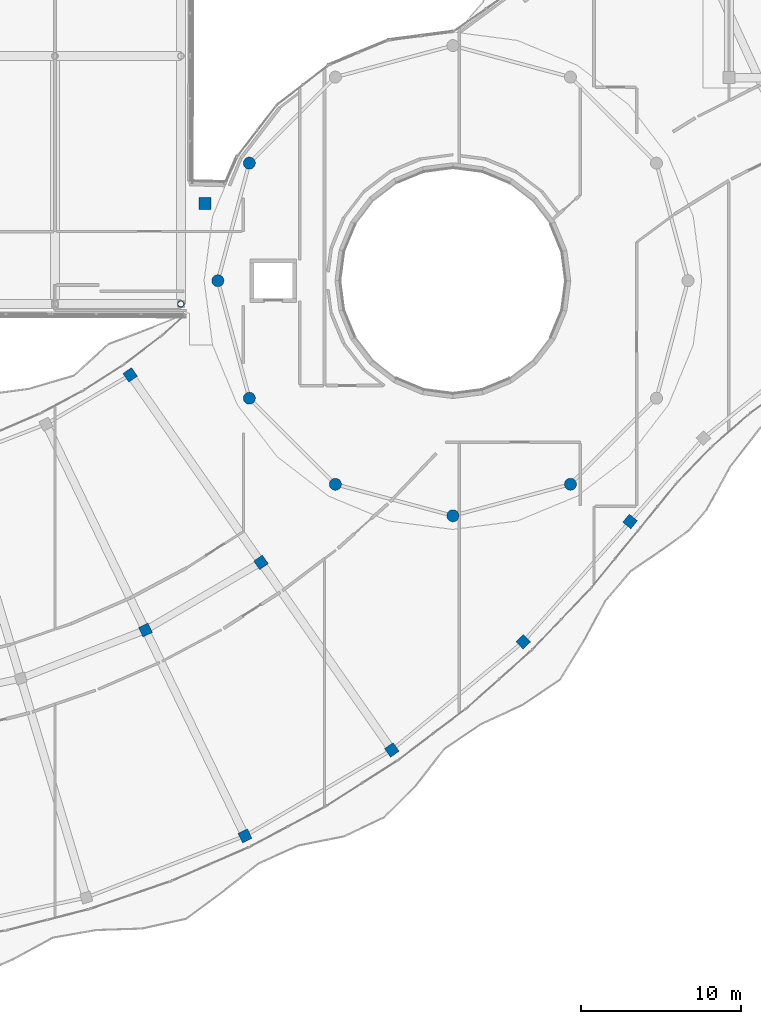
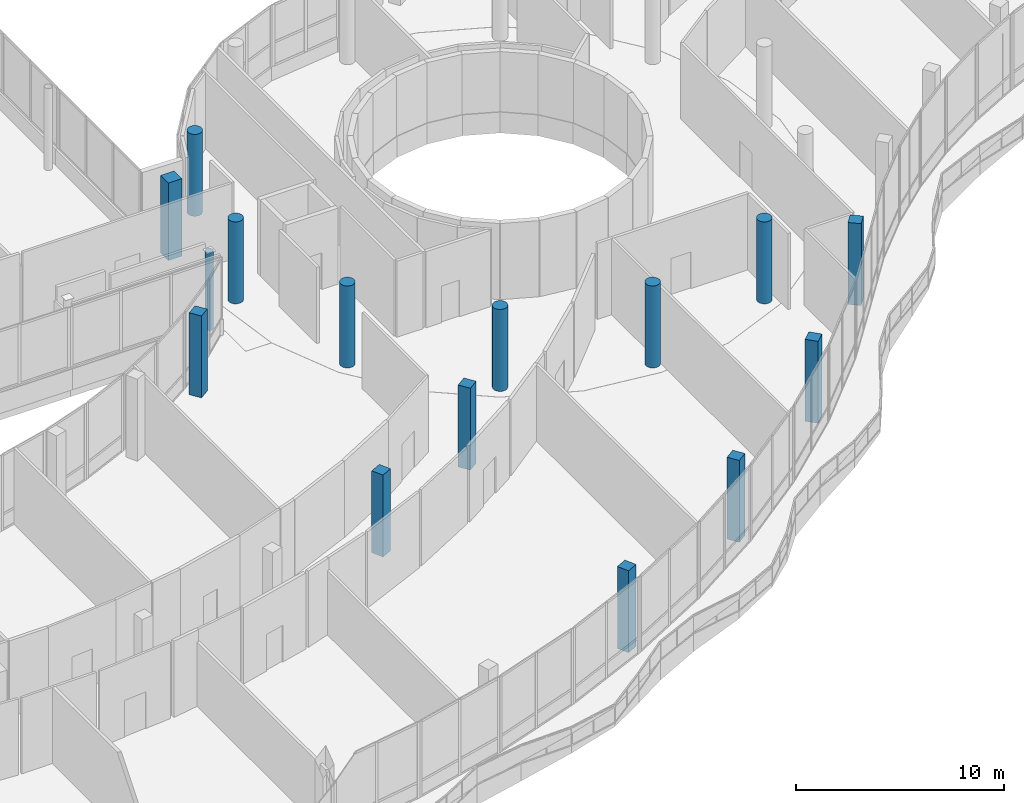
# One storey, part 4 of 155: 15 columns.
"""IFC4 building model written with IfcOpenShell, lengths in metres."""

from ifc_helpers import new_model, si_unit, direction, frame, origin, origin_2d, place, context, subcontext, project, spatial, rectangle, circle, hollow_circle, extrude, material, material_profile, profile_set, type_object, element, save


model = new_model("IFC4")

# Units and contexts
model_context = context("Model", 3, precision=1e-05, world=origin(), true_north=direction((0.0, 1.0)))
body_context = subcontext(model_context, "Body", "Model", "MODEL_VIEW")
ifc_project = project(units=[si_unit("LENGTHUNIT", "METRE"), si_unit("AREAUNIT", "SQUARE_METRE"), si_unit("VOLUMEUNIT", "CUBIC_METRE"), si_unit("PLANEANGLEUNIT", "RADIAN"), si_unit("MASSUNIT", "GRAM", prefix="KILO")], contexts=[model_context])

# Site, building, storey
site_placement = place(None, origin())
site = spatial("IfcSite", under=ifc_project, at=site_placement, CompositionType="ELEMENT")
building_placement = place(site_placement, origin())
building = spatial("IfcBuilding", under=site, at=building_placement, Name="Selatvlak General Hospital", CompositionType="ELEMENT")
storey_placement = place(building_placement, frame((0.0, 0.0, 10.199951171875)))
storey = spatial("IfcBuildingStorey", under=building, at=storey_placement, Name="L02", CompositionType="ELEMENT", Elevation=10.199951171875)

# Columns
ifc_material_1 = material(Name="Steel S355", Category="steel")
ifc_material_profile_1 = material_profile(ifc_material_1, hollow_circle(Radius=0.203125, WallThickness=0.01611328125, at=origin_2d()), Name="CHS 406.4x16")
ifc_profile_set_1 = profile_set([ifc_material_profile_1], Name="Steel S355")
column_type_1 = type_object("IfcColumnType", Name="COL-CHS406", PredefinedType="COLUMN", material=ifc_profile_set_1)
column_1_placement = place(storey_placement, frame((81.050048828125, 52.550048828125, 0.0), z_axis=(0.0, 0.0, 1.0), x_axis=(1.0, 0.0, 0.0)))
element("IfcColumn", 1, at=column_1_placement, inside=storey, type_object=column_type_1, Name="Column 022 on L02", PredefinedType="COLUMN", context=body_context, shape_type="SweptSolid", body=[
    extrude(hollow_circle(Radius=0.203125, WallThickness=0.01611328125, at=origin_2d()), origin(), (0.0, 0.0, 1.0), 4.554931640625),
])
ifc_material_2 = material(Name="Concrete C40/50", Category="concrete")
ifc_material_profile_2 = material_profile(ifc_material_2, rectangle(XDim=0.64990234375, YDim=0.64990234375, at=origin_2d()), Name="RC-COL 650x650")
ifc_profile_set_2 = profile_set([ifc_material_profile_2], Name="Concrete C40/50")
column_type_2 = type_object("IfcColumnType", Name="COL-RC65", PredefinedType="COLUMN", material=ifc_profile_set_2)
for number, where, z_axis, x_axis, name in (
    (2, (78.842041015625, 32.22998046875, 0.0), (0.0, 0.0, 1.0), (-0.435199672053, 0.900333963285, 0.0), "Column 332 on L02"),
    (3, (85.0439453125, 19.39990234375, 0.0), (0.0, 0.0, 1.0), (-0.435199672053, 0.900333963285, 0.0), "Column 333 on L02"),
    (4, (77.886962890625, 48.131103515625, 0.0), (0.0, 0.0, 1.0), (-0.572188815713, 0.820121917262, 0.0), "Column 334 on L02"),
    (5, (86.041015625, 36.444091796875, 0.0), (0.0, 0.0, 1.0), (-0.572188815713, 0.820121917262, 0.0), "Column 335 on L02"),
    (6, (94.195068359375, 24.757080078125, 0.0), (0.0, 0.0, 1.0), (-0.572188815713, 0.820121917262, 0.0), "Column 336 on L02"),
    (7, (102.383056640625, 31.4970703125, 0.0), (0.0, 0.0, 1.0), (-0.694834117591, 0.719170041806, 0.0), "Column 337 on L02"),
    (8, (109.04296875, 38.992919921875, 0.0), (0.0, 0.0, 1.0), (-0.774922426247, 0.632056352945, 0.0), "Column 338 on L02"),
):
    element("IfcColumn", number, at=place(storey_placement, frame(where, z_axis=z_axis, x_axis=x_axis)), inside=storey, type_object=column_type_2, Name=name, PredefinedType="COLUMN", context=body_context, shape_type="SweptSolid", body=[
        extrude(rectangle(XDim=0.64990234375, YDim=0.64990234375, at=origin_2d()), origin(), (0.0, 0.0, 1.0), 4.800048828125),
    ])
ifc_material_3 = material(Name="Concrete C50/60", Category="concrete")
ifc_material_profile_3 = material_profile(ifc_material_3, rectangle(XDim=0.75, YDim=0.75, at=origin_2d()), Name="RC-COL 750x750")
ifc_profile_set_3 = profile_set([ifc_material_profile_3], Name="Concrete C50/60")
column_type_3 = type_object("IfcColumnType", Name="COL-RC75", PredefinedType="COLUMN", material=ifc_profile_set_3)
column_2_placement = place(storey_placement, frame((82.550048828125, 58.800048828125, 0.0), z_axis=(0.0, 0.0, 1.0), x_axis=(1.0, 0.0, 0.0)))
element("IfcColumn", 9, at=column_2_placement, inside=storey, type_object=column_type_3, Name="Column 086 on L02", PredefinedType="COLUMN", context=body_context, shape_type="SweptSolid", body=[
    extrude(rectangle(XDim=0.75, YDim=0.75, at=origin_2d()), origin(), (0.0, 0.0, 1.0), 4.5400390625),
])
ifc_material_profile_4 = material_profile(ifc_material_3, circle(Radius=0.375, at=origin_2d()), Name="RC-COL D750")
ifc_profile_set_4 = profile_set([ifc_material_profile_4], Name="Concrete C50/60")
column_type_4 = type_object("IfcColumnType", Name="COL-RCD75", PredefinedType="COLUMN", material=ifc_profile_set_4)
for number, where, z_axis, x_axis, name in (
    (10, (85.31298828125, 61.324951171875, 0.0), (0.0, 0.0, 1.0), (-0.866025403784, 0.5, 0.0), "Column 030 on L02"),
    (11, (83.35009765625, 54.0, 0.0), (0.0, 0.0, 1.0), (-1.0, 0.0, 0.0), "Column 031 on L02"),
    (12, (85.31298828125, 46.675048828125, 0.0), (0.0, 0.0, 1.0), (-0.866025403784, -0.5, 0.0), "Column 032 on L02"),
    (13, (90.675048828125, 41.31298828125, 0.0), (0.0, 0.0, 1.0), (-0.5, -0.866025403784, 0.0), "Column 033 on L02"),
    (14, (98.0, 39.35009765625, 0.0), (0.0, 0.0, 1.0), (0.0, -1.0, 0.0), "Column 034 on L02"),
    (15, (105.324951171875, 41.31298828125, 0.0), (0.0, 0.0, 1.0), (0.5, -0.866025403784, 0.0), "Column 035 on L02"),
):
    element("IfcColumn", number, at=place(storey_placement, frame(where, z_axis=z_axis, x_axis=x_axis)), inside=storey, type_object=column_type_4, Name=name, PredefinedType="COLUMN", context=body_context, shape_type="SweptSolid", body=[
        extrude(circle(Radius=0.375, at=origin_2d()), origin(), (0.0, 0.0, 1.0), 4.800048828125),
    ])

save(model, "model.ifc")
